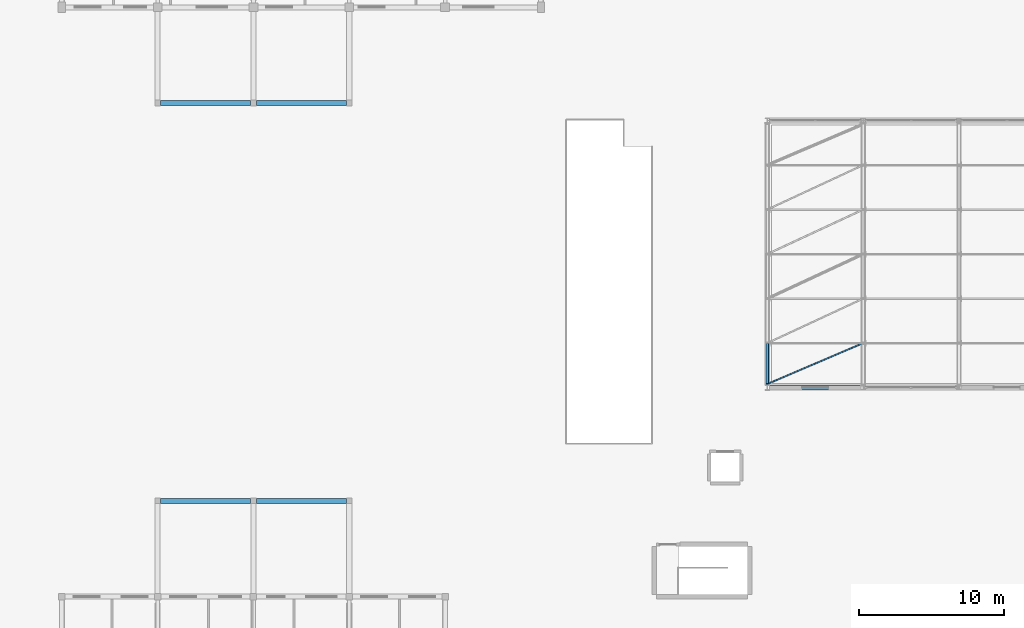
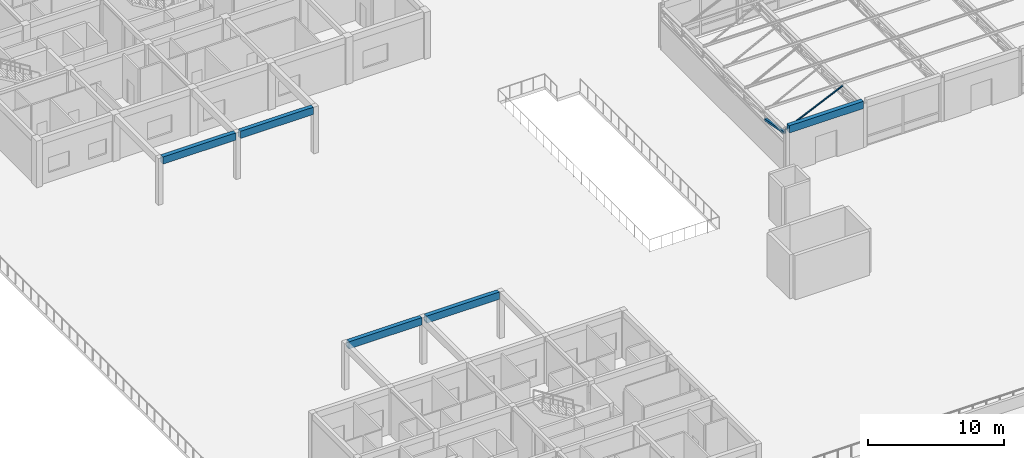
# One storey, part 16 of 92: 5 beams, 2 members.
"""IFC4 building model written with IfcOpenShell, lengths in metres."""

from ifc_helpers import new_model, si_unit, direction, frame, origin, origin_2d, place, context, subcontext, project, spatial, rectangle, hollow_rectangle, extrude, material, material_profile, profile_set, type_object, element, save


model = new_model("IFC4")

# Units and contexts
model_context = context("Model", 3, precision=1e-05, world=origin(), true_north=direction((0.0, 1.0)))
body_context = subcontext(model_context, "Body", "Model", "MODEL_VIEW")
ifc_project = project(units=[si_unit("LENGTHUNIT", "METRE"), si_unit("AREAUNIT", "SQUARE_METRE"), si_unit("VOLUMEUNIT", "CUBIC_METRE"), si_unit("PLANEANGLEUNIT", "RADIAN"), si_unit("MASSUNIT", "GRAM", prefix="KILO")], contexts=[model_context])

# Site, building, storey
site_placement = place(None, origin())
site = spatial("IfcSite", under=ifc_project, at=site_placement, CompositionType="ELEMENT")
building_placement = place(site_placement, origin())
building = spatial("IfcBuilding", under=site, at=building_placement, Name="Kernevlak Ridge Housing Community", CompositionType="ELEMENT")
storey_placement = place(building_placement, frame((0.0, 0.0, 4.199951171875)))
storey = spatial("IfcBuildingStorey", under=building, at=storey_placement, Name="L01", CompositionType="ELEMENT", Elevation=4.199951171875)

# Beams
ifc_material_1 = material(Name="Concrete C35/45", Category="concrete")
ifc_material_profile_1 = material_profile(ifc_material_1, rectangle(XDim=0.35009765625, YDim=0.64990234375, at=origin_2d()), Name="RC 350x650")
ifc_profile_set_1 = profile_set([ifc_material_profile_1], Name="Concrete C35/45")
beam_type = type_object("IfcBeamType", Name="B-02", PredefinedType="BEAM", material=ifc_profile_set_1)
beam_1_placement = place(storey_placement, frame((22.39990234375, 42.0, 3.875), z_axis=(1.0, 0.0, 0.0), x_axis=(0.0, 1.0, 0.0)))
element("IfcBeam", 1, at=beam_1_placement, inside=storey, type_object=beam_type, Name="Beam B-02 L01 2405", PredefinedType="BEAM", context=body_context, shape_type="SweptSolid", body=[
    extrude(rectangle(XDim=0.35009765625, YDim=0.64990234375, at=origin_2d()), origin(), (0.0, 0.0, 1.0), 6.2001953125),
])
beam_2_placement = place(storey_placement, frame((29.0, 42.0, 3.875), z_axis=(1.0, 0.0, 0.0), x_axis=(0.0, 1.0, 0.0)))
element("IfcBeam", 2, at=beam_2_placement, inside=storey, type_object=beam_type, Name="Beam B-02 L01 2406", PredefinedType="BEAM", context=body_context, shape_type="SweptSolid", body=[
    extrude(rectangle(XDim=0.35009765625, YDim=0.64990234375, at=origin_2d()), origin(), (0.0, 0.0, 1.0), 6.199951171875),
])
beam_3_placement = place(storey_placement, frame((64.35009765625, 49.800048828125, 3.875), z_axis=(1.0, 0.0, 0.0), x_axis=(0.0, 1.0, 0.0)))
element("IfcBeam", 3, at=beam_3_placement, inside=storey, type_object=beam_type, Name="Beam B-02 L01 2407", PredefinedType="BEAM", context=body_context, shape_type="SweptSolid", body=[
    extrude(rectangle(XDim=0.35009765625, YDim=0.64990234375, at=origin_2d()), origin(), (0.0, 0.0, 1.0), 6.2998046875),
])
beam_4_placement = place(storey_placement, frame((22.39990234375, 69.39990234375, 3.875), z_axis=(1.0, 0.0, 0.0), x_axis=(0.0, 1.0, 0.0)))
element("IfcBeam", 4, at=beam_4_placement, inside=storey, type_object=beam_type, Name="Beam B-02 L01 2419", PredefinedType="BEAM", context=body_context, shape_type="SweptSolid", body=[
    extrude(rectangle(XDim=0.35009765625, YDim=0.64990234375, at=origin_2d()), origin(), (0.0, 0.0, 1.0), 6.2001953125),
])
beam_5_placement = place(storey_placement, frame((29.0, 69.39990234375, 3.875), z_axis=(1.0, 0.0, 0.0), x_axis=(0.0, 1.0, 0.0)))
element("IfcBeam", 5, at=beam_5_placement, inside=storey, type_object=beam_type, Name="Beam B-02 L01 2420", PredefinedType="BEAM", context=body_context, shape_type="SweptSolid", body=[
    extrude(rectangle(XDim=0.35009765625, YDim=0.64990234375, at=origin_2d()), origin(), (0.0, 0.0, 1.0), 6.199951171875),
])

# Members
ifc_material_2 = material(Name="Steel S355", Category="steel")
ifc_material_profile_2 = material_profile(ifc_material_2, hollow_rectangle(XDim=0.199951171875, YDim=0.199951171875, WallThickness=0.010009765625, InnerFilletRadius=0.010009765625, OuterFilletRadius=0.014892578125, at=origin_2d()), Name="SHS 200x200x10")
ifc_profile_set_2 = profile_set([ifc_material_profile_2], Name="Steel S355")
member_type_1 = type_object("IfcMemberType", Name="BR-01", PredefinedType="BRACE", material=ifc_profile_set_2)
member_1_placement = place(storey_placement, frame((64.199951171875, 50.050048828125, 3.41015625), z_axis=(0.0, 0.98177933846, -0.190024552551), x_axis=(-1.0, 0.0, 0.0)))
element("IfcMember", 6, at=member_1_placement, inside=storey, type_object=member_type_1, Name="Community Hall roof truss 1 web diagonal 1", PredefinedType="BRACE", context=body_context, shape_type="SweptSolid", body=[
    extrude(hollow_rectangle(XDim=0.199951171875, YDim=0.199951171875, WallThickness=0.010009765625, InnerFilletRadius=0.010009765625, OuterFilletRadius=0.014892578125, at=origin_2d()), origin(), (0.0, 0.0, 1.0), 2.868896484375),
])
ifc_material_profile_3 = material_profile(ifc_material_2, hollow_rectangle(XDim=0.10009765625, YDim=0.10009765625, WallThickness=0.006103515625, InnerFilletRadius=0.006103515625, OuterFilletRadius=0.009033203125, at=origin_2d()), Name="SHS 100x100x6")
ifc_profile_set_3 = profile_set([ifc_material_profile_3], Name="Steel S355")
member_type_2 = type_object("IfcMemberType", Name="BR-06", PredefinedType="BRACE", material=ifc_profile_set_3)
member_2_placement = place(storey_placement, frame((64.199951171875, 50.050048828125, 3.625), z_axis=(0.919747546099, 0.39251044756, 0.0), x_axis=(-0.39251044756, 0.919747546099, 0.0)))
element("IfcMember", 7, at=member_2_placement, inside=storey, type_object=member_type_2, Name="Roof lateral wind brace 1.1", PredefinedType="BRACE", context=body_context, shape_type="SweptSolid", body=[
    extrude(hollow_rectangle(XDim=0.10009765625, YDim=0.10009765625, WallThickness=0.006103515625, InnerFilletRadius=0.006103515625, OuterFilletRadius=0.009033203125, at=origin_2d()), origin(), (0.0, 0.0, 1.0), 7.176025390625),
])

save(model, "model.ifc")
